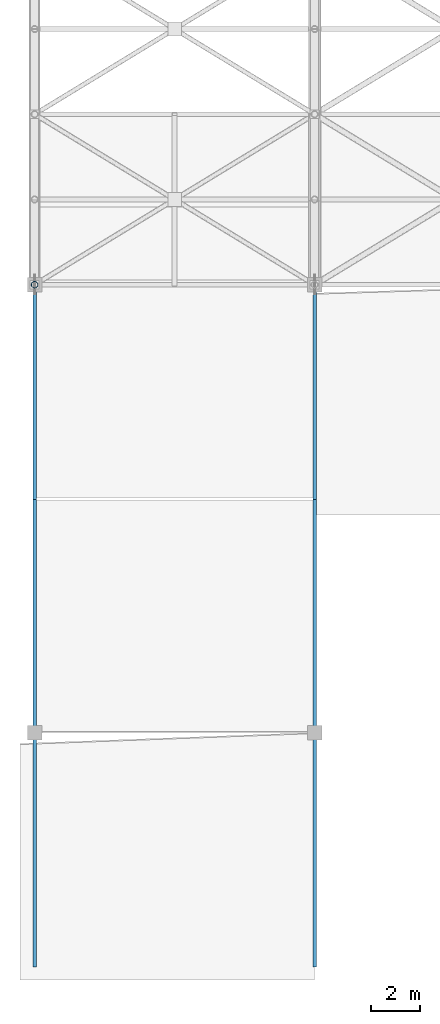
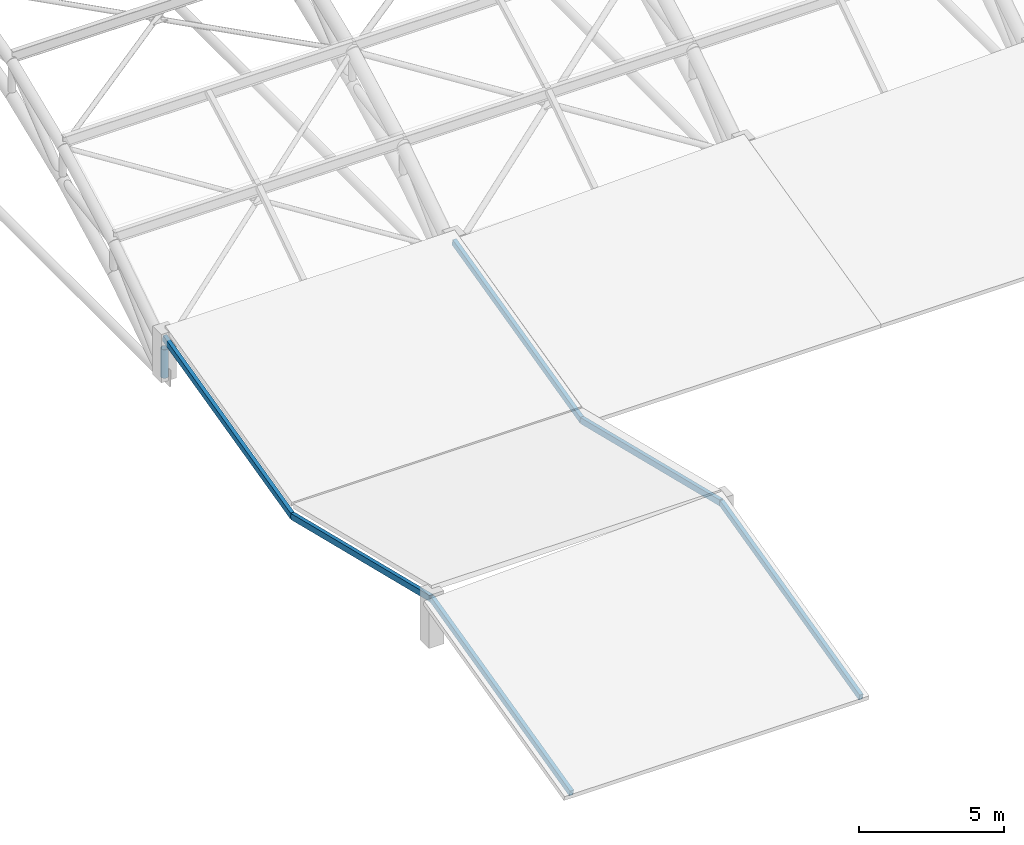
# One storey, part 3 of 154: 7 members.
"""IFC4 building model written with IfcOpenShell, lengths in metres."""

import ifcopenshell
import ifcopenshell.guid

model = None  # the IFC model being written
_history = None  # IfcOwnerHistory: only IFC2X3 demands one
_inside = {}  # id of a spatial element -> (the spatial element, [elements in it])
_under = {}  # id of a project, library or spatial element -> (it, [spatial elements below it])
_declared = {}  # id of a project -> (the project, [libraries it declares])
_typed = {}  # id of a type object -> (the type object, [elements of that type])
_made_of = {}  # id of a material, layer set ... -> (it, [elements and type objects made of it])


def new_model(schema):
    """Start an empty IFC model of exactly this schema.

    Asked for "IFC4X3", IfcOpenShell would pick the latest addendum, in which some entities
    have other attributes; the version numbers below select the first issue.
    IFC2X3 requires an IfcOwnerHistory on every rooted entity: one is made here for all.
    """
    global model, _history
    if schema == "IFC4X3":
        model = ifcopenshell.file(schema_version=(4, 3, 0, 0))
    else:
        model = ifcopenshell.file(schema=schema)
    _inside.clear()
    _under.clear()
    _declared.clear()
    _typed.clear()
    _made_of.clear()
    _history = None
    if model.schema == "IFC2X3":
        org = make("IfcOrganization", Name="unknown")
        user = make(
            "IfcPersonAndOrganization",
            ThePerson=make("IfcPerson", FamilyName="unknown"),
            TheOrganization=org,
        )
        app = make(
            "IfcApplication",
            ApplicationDeveloper=org,
            Version="unknown",
            ApplicationFullName="unknown",
            ApplicationIdentifier="unknown",
        )
        _history = make(
            "IfcOwnerHistory",
            OwningUser=user,
            OwningApplication=app,
            ChangeAction="ADDED",
            CreationDate=0,
        )
    return model


def make(cls, **values):
    """One entity of the class cls with the attributes given. An attribute that is None is left unset."""
    return model.create_entity(
        cls, **{name: value for name, value in values.items() if value is not None}
    )


def rooted(cls, **values):
    """An entity with a GlobalId (a new one), such as an element, a storey or a relation."""
    return make(cls, GlobalId=ifcopenshell.guid.new(), OwnerHistory=_history, **values)


def si_unit(unit_type, name, prefix=None):
    """IfcSIUnit, for example si_unit("LENGTHUNIT", "METRE", prefix="MILLI")."""
    return make("IfcSIUnit", UnitType=unit_type, Prefix=prefix, Name=name)


def assignment(units):
    """IfcUnitAssignment: the units of a project."""
    return None if units is None else make("IfcUnitAssignment", Units=units)


def point(xyz):
    """IfcCartesianPoint."""
    return None if xyz is None else make("IfcCartesianPoint", Coordinates=xyz)


def direction(xyz):
    """IfcDirection."""
    return None if xyz is None else make("IfcDirection", DirectionRatios=xyz)


def frame(location, z_axis=None, x_axis=None):
    """IfcAxis2Placement3D, a coordinate frame: its origin and axes. An axis left out is left unset."""
    return make(
        "IfcAxis2Placement3D",
        Location=point(location),
        Axis=direction(z_axis),
        RefDirection=direction(x_axis),
    )


def frame_2d(location, x_axis=None):
    """IfcAxis2Placement2D, a coordinate frame in the plane: its origin and x axis."""
    return make(
        "IfcAxis2Placement2D", Location=point(location), RefDirection=direction(x_axis)
    )


def origin():
    """The frame at (0, 0, 0) with its axes left unset."""
    return frame((0.0, 0.0, 0.0))


def origin_2d():
    """The frame at (0, 0) in the plane with its x axis left unset."""
    return frame_2d((0.0, 0.0))


def place(relative_to, where):
    """IfcLocalPlacement: puts the frame where relative to a parent placement (None: the world)."""
    return make(
        "IfcLocalPlacement", PlacementRelTo=relative_to, RelativePlacement=where
    )


def context(
    kind, dimensions, precision=None, world=None, true_north=None, identifier=None
):
    """IfcGeometricRepresentationContext, for example the 3D "Model" context."""
    return make(
        "IfcGeometricRepresentationContext",
        ContextIdentifier=identifier,
        ContextType=kind,
        CoordinateSpaceDimension=dimensions,
        Precision=precision,
        WorldCoordinateSystem=world,
        TrueNorth=true_north,
    )


def subcontext(parent, identifier, kind, view, scale=None):
    """IfcGeometricRepresentationSubContext, for example "Body" below "Model"."""
    return make(
        "IfcGeometricRepresentationSubContext",
        ContextIdentifier=identifier,
        ContextType=kind,
        ParentContext=parent,
        TargetScale=scale,
        TargetView=view,
    )


def project(units=None, contexts=None):
    """IfcProject with its units and contexts."""
    return rooted(
        "IfcProject",
        Name="project",
        RepresentationContexts=contexts,
        UnitsInContext=assignment(units),
    )


def spatial(cls, under=None, at=None, **own):
    """A site, building, storey or space (cls), placed at a placement, below another one or the project."""
    s = rooted(cls, ObjectPlacement=at, **own)
    if under is not None:
        _under.setdefault(under.id(), (under, []))[1].append(s)
    return s


def profile(cls, at=None, kind="AREA", **sizes):
    """A parametric profile (cls). Its sizes go by their IFC names, for example OverallWidth=200.0."""
    return make(cls, ProfileType=kind, Position=at, **sizes)


def hollow_rectangle(**sizes):
    """IfcRectangleHollowProfileDef."""
    return profile("IfcRectangleHollowProfileDef", **sizes)


def hollow_circle(**sizes):
    """IfcCircleHollowProfileDef."""
    return profile("IfcCircleHollowProfileDef", **sizes)


def extrude(swept, where, along, depth):
    """IfcExtrudedAreaSolid: the profile swept, set in the frame where, extruded along a direction by depth."""
    return make(
        "IfcExtrudedAreaSolid",
        SweptArea=swept,
        Position=where,
        ExtrudedDirection=direction(along),
        Depth=depth,
    )


def shape(context_of_items, identifier, shape_type, items):
    """IfcShapeRepresentation: the items that make up one representation, for example the "Body"."""
    return make(
        "IfcShapeRepresentation",
        ContextOfItems=context_of_items,
        RepresentationIdentifier=identifier,
        RepresentationType=shape_type,
        Items=items,
    )


def material(Name=None, Category=None):
    """IfcMaterial."""
    return make("IfcMaterial", Name=Name, Category=Category)


def material_profile(
    of_material, cross_section, Name=None, Category=None, Priority=None
):
    """IfcMaterialProfile: a cross section and its material."""
    return make(
        "IfcMaterialProfile",
        Name=Name,
        Material=of_material,
        Profile=cross_section,
        Priority=Priority,
        Category=Category,
    )


def profile_set(profiles, Name=None, composite=None):
    """IfcMaterialProfileSet."""
    return make(
        "IfcMaterialProfileSet",
        Name=Name,
        MaterialProfiles=profiles,
        CompositeProfile=composite,
    )


def made_of(thing, what):
    """Note that an element or type object is made of a material, layer set ...; save() writes the relation."""
    if what is not None:
        _made_of.setdefault(what.id(), (what, []))[1].append(thing)
    return thing


def type_object(cls, material=None, **own):
    """A type object (cls), such as IfcWallType, which elements share."""
    return made_of(rooted(cls, **own), material)


def element(
    cls,
    number,
    at=None,
    inside=None,
    cuts=None,
    type_object=None,
    material=None,
    context=None,
    identifier="Body",
    shape_type=None,
    held_by="IfcProductDefinitionShape",
    body=None,
    shapes=None,
    **own,
):
    """One element of the class cls, such as IfcWall. Its Tag is "e" and its number.

    at: its placement. inside: the storey or other place that contains it. cuts: it is an
    opening in that element (IfcRelVoidsElement). A single representation is given by context,
    identifier, shape_type and body (its items); several are given by shapes. held_by: the class
    of the entity that holds the representations. save() writes the other relations.
    """
    e = rooted(cls, Tag="e%d" % number, ObjectPlacement=at, **own)
    if body is not None:
        shapes = [shape(context, identifier, shape_type, body)]
    if shapes is not None:
        e.Representation = make(held_by, Representations=shapes)
    if inside is not None:
        _inside.setdefault(inside.id(), (inside, []))[1].append(e)
    if cuts is not None:
        rooted(
            "IfcRelVoidsElement", RelatingBuildingElement=cuts, RelatedOpeningElement=e
        )
    if type_object is not None:
        _typed.setdefault(type_object.id(), (type_object, []))[1].append(e)
    return made_of(e, material)


def aggregate(whole, parts):
    """IfcRelAggregates: a whole, such as a stair, and the parts it consists of."""
    return rooted("IfcRelAggregates", RelatingObject=whole, RelatedObjects=parts)


def save(model, path):
    """Write the relations noted so far, then the file.

    IfcRelAggregates (storeys below a building ...), IfcRelContainedInSpatialStructure (elements
    in a storey), IfcRelDefinesByType, IfcRelAssociatesMaterial and IfcRelDeclares: one each for
    every whole, place, type object, material and project.
    """
    for whole, parts in _under.values():
        aggregate(whole, parts)
    for where, things in _inside.values():
        rooted(
            "IfcRelContainedInSpatialStructure",
            RelatedElements=things,
            RelatingStructure=where,
        )
    for kind, things in _typed.values():
        rooted("IfcRelDefinesByType", RelatedObjects=things, RelatingType=kind)
    for what, things in _made_of.values():
        rooted("IfcRelAssociatesMaterial", RelatedObjects=things, RelatingMaterial=what)
    for by, libraries in _declared.values():
        rooted("IfcRelDeclares", RelatingContext=by, RelatedDefinitions=libraries)
    model.write(path)


model = new_model("IFC4")

# Units and contexts
model_context = context("Model", 3, precision=1e-05, world=origin(), true_north=direction((0.0, 1.0)))
body_context = subcontext(model_context, "Body", "Model", "MODEL_VIEW")
ifc_project = project(units=[si_unit("LENGTHUNIT", "METRE"), si_unit("AREAUNIT", "SQUARE_METRE"), si_unit("VOLUMEUNIT", "CUBIC_METRE"), si_unit("PLANEANGLEUNIT", "RADIAN"), si_unit("MASSUNIT", "GRAM", prefix="KILO")], contexts=[model_context])

# Site, building, storey
site_placement = place(None, origin())
site = spatial("IfcSite", under=ifc_project, at=site_placement, CompositionType="ELEMENT")
building_placement = place(site_placement, origin())
building = spatial("IfcBuilding", under=site, at=building_placement, Name="Ologun Quay Terminus", CompositionType="ELEMENT")
storey_placement = place(building_placement, frame((0.0, 0.0, 13.800048828125)))
storey = spatial("IfcBuildingStorey", under=building, at=storey_placement, Name="L03", CompositionType="ELEMENT", Elevation=13.800048828125)

# Members
ifc_material_1 = material(Name="Steel S355", Category="steel")
ifc_material_profile_1 = material_profile(ifc_material_1, hollow_circle(Radius=0.136474609375, WallThickness=0.010009765625, at=origin_2d()), Name="CHS 273x10")
ifc_profile_set_1 = profile_set([ifc_material_profile_1], Name="Steel S355")
member_type_1 = type_object("IfcMemberType", Name="Arch Truss Vertical Post CHS273", PredefinedType="STRUT", material=ifc_profile_set_1)
member_1_placement = place(storey_placement, frame((0.0, 36.0, 0.0), z_axis=(0.0, 0.0, 1.0), x_axis=(1.0, 0.0, 0.0)))
element("IfcMember", 1, at=member_1_placement, inside=storey, type_object=member_type_1, Name="AW2 Arch Web Post 1-N0", PredefinedType="STRUT", context=body_context, shape_type="SweptSolid", body=[
    extrude(hollow_circle(Radius=0.136474609375, WallThickness=0.010009765625, at=origin_2d()), origin(), (0.0, 0.0, 1.0), 1.199951171875),
])
ifc_material_2 = material(Name="Steel S355", Category="steel")
ifc_material_profile_2 = material_profile(ifc_material_2, hollow_rectangle(XDim=0.14990234375, YDim=0.25, WallThickness=0.008056640625, at=origin_2d()), Name="RHS 250x150x8")
ifc_profile_set_2 = profile_set([ifc_material_profile_2], Name="Steel S355")
member_type_2 = type_object("IfcMemberType", Name="Skylight Longitudinal Glazing Bar RHS200", PredefinedType="PURLIN", material=ifc_profile_set_2)
member_2_placement = place(storey_placement, frame((0.0, 8.0, -0.5224609375), z_axis=(0.0, 0.971319437027, 0.237778365821), x_axis=(-1.0, 0.0, 0.0)))
element("IfcMember", 2, at=member_2_placement, inside=storey, type_object=member_type_2, Name="SK1 Inclined Roof Rafter L03-SW-1-BC", PredefinedType="PURLIN", context=body_context, shape_type="SweptSolid", body=[
    extrude(hollow_rectangle(XDim=0.14990234375, YDim=0.25, WallThickness=0.008056640625, at=origin_2d()), origin(), (0.0, 0.0, 1.0), 9.883544921875),
])
member_3_placement = place(storey_placement, frame((0.0, 17.60009765625, 1.82763671875), z_axis=(0.0, 0.97131804038, -0.237784071023), x_axis=(-1.0, 0.0, 0.0)))
element("IfcMember", 3, at=member_3_placement, inside=storey, type_object=member_type_2, Name="SK1 Inclined Roof Rafter L03-SW-1-CD", PredefinedType="PURLIN", context=body_context, shape_type="SweptSolid", body=[
    extrude(hollow_rectangle(XDim=0.14990234375, YDim=0.25, WallThickness=0.008056640625, at=origin_2d()), origin(), (0.0, 0.0, 1.0), 9.88330078125),
])
member_4_placement = place(storey_placement, frame((0.0, 27.199951171875, -0.5224609375), z_axis=(0.0, 0.971430080393, 0.237325933914), x_axis=(-1.0, 0.0, 0.0)))
element("IfcMember", 4, at=member_4_placement, inside=storey, type_object=member_type_2, Name="SK1 Inclined Roof Rafter L03-SW-1-DE", PredefinedType="PURLIN", context=body_context, shape_type="SweptSolid", body=[
    extrude(hollow_rectangle(XDim=0.14990234375, YDim=0.25, WallThickness=0.008056640625, at=origin_2d()), origin(), (0.0, 0.0, 1.0), 9.058837890625),
])
member_5_placement = place(storey_placement, frame((11.5, 8.0, -0.5224609375), z_axis=(0.0, 0.971319437027, 0.237778365821), x_axis=(-1.0, 0.0, 0.0)))
element("IfcMember", 5, at=member_5_placement, inside=storey, type_object=member_type_2, Name="SK1 Inclined Roof Rafter L03-SW-2-BC", PredefinedType="PURLIN", context=body_context, shape_type="SweptSolid", body=[
    extrude(hollow_rectangle(XDim=0.14990234375, YDim=0.25, WallThickness=0.008056640625, at=origin_2d()), origin(), (0.0, 0.0, 1.0), 9.883544921875),
])
member_6_placement = place(storey_placement, frame((11.5, 17.60009765625, 1.82763671875), z_axis=(0.0, 0.97131804038, -0.237784071023), x_axis=(-1.0, 0.0, 0.0)))
element("IfcMember", 6, at=member_6_placement, inside=storey, type_object=member_type_2, Name="SK1 Inclined Roof Rafter L03-SW-2-CD", PredefinedType="PURLIN", context=body_context, shape_type="SweptSolid", body=[
    extrude(hollow_rectangle(XDim=0.14990234375, YDim=0.25, WallThickness=0.008056640625, at=origin_2d()), origin(), (0.0, 0.0, 1.0), 9.88330078125),
])
member_7_placement = place(storey_placement, frame((11.5, 27.199951171875, -0.5224609375), z_axis=(0.0, 0.971430080393, 0.237325933914), x_axis=(-1.0, 0.0, 0.0)))
element("IfcMember", 7, at=member_7_placement, inside=storey, type_object=member_type_2, Name="SK1 Inclined Roof Rafter L03-SW-2-DE", PredefinedType="PURLIN", context=body_context, shape_type="SweptSolid", body=[
    extrude(hollow_rectangle(XDim=0.14990234375, YDim=0.25, WallThickness=0.008056640625, at=origin_2d()), origin(), (0.0, 0.0, 1.0), 9.058837890625),
])

save(model, "model.ifc")
